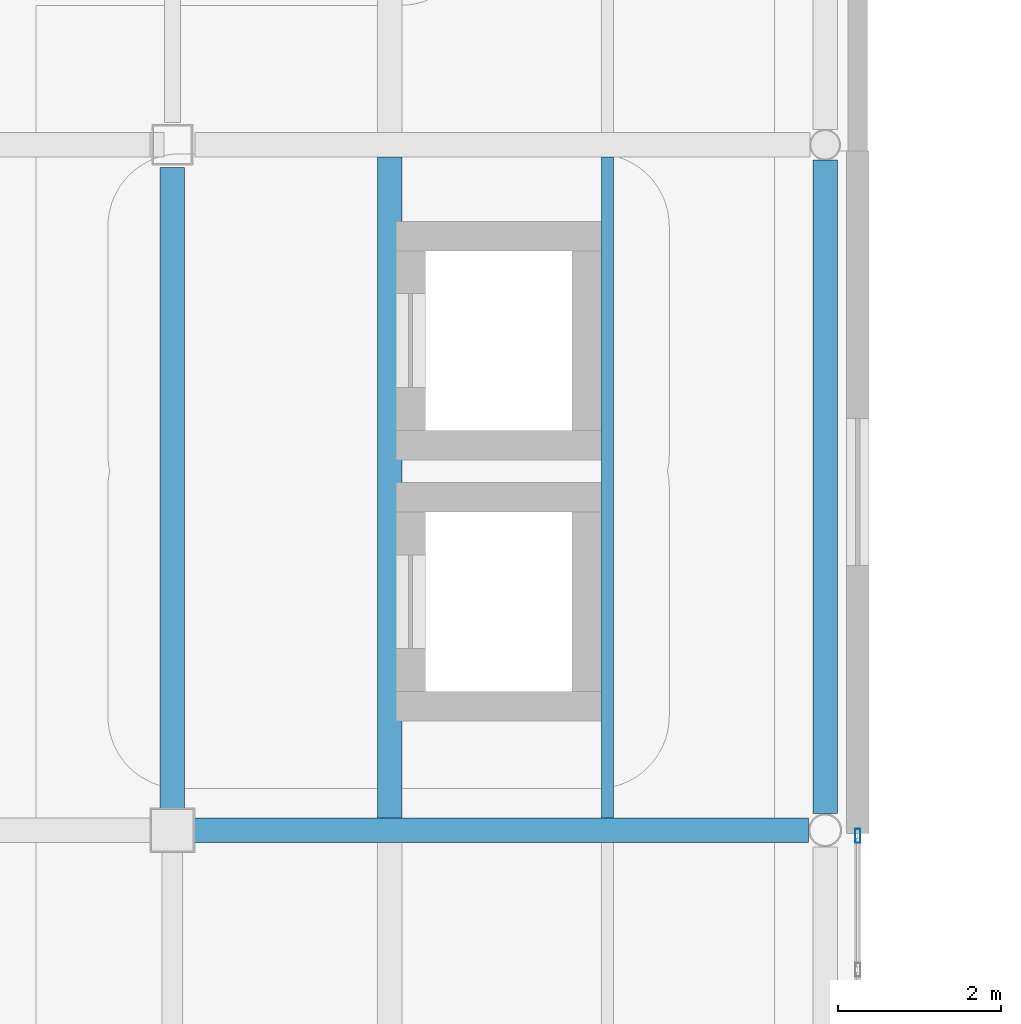
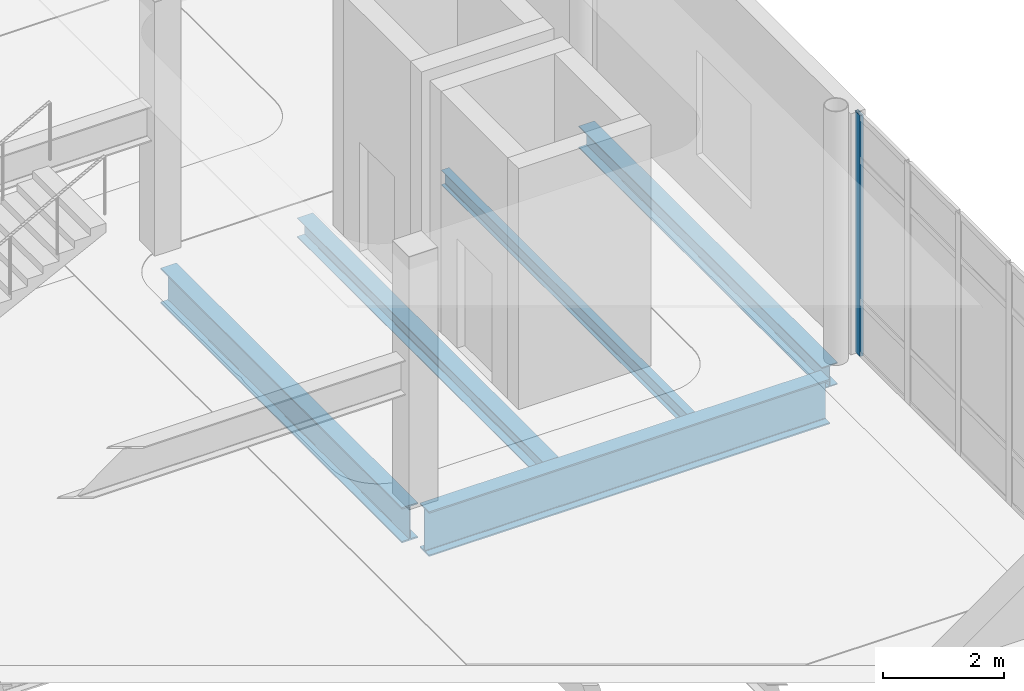
# One storey, part 40 of 103: 5 beams, 1 member, 1 element without a shape of its own.
"""IFC4 building model written with IfcOpenShell, lengths in metres."""

from ifc_helpers import new_model, si_unit, direction, frame, origin, origin_2d, place, context, subcontext, project, spatial, hollow_rectangle, i_section, extrude, material, layer, layer_set, material_profile, profile_set, type_object, element, aggregate, save


model = new_model("IFC4")

# Units and contexts
model_context = context("Model", 3, precision=1e-05, world=origin(), true_north=direction((0.0, 1.0)))
body_context = subcontext(model_context, "Body", "Model", "MODEL_VIEW")
ifc_project = project(units=[si_unit("LENGTHUNIT", "METRE"), si_unit("AREAUNIT", "SQUARE_METRE"), si_unit("VOLUMEUNIT", "CUBIC_METRE"), si_unit("PLANEANGLEUNIT", "RADIAN"), si_unit("MASSUNIT", "GRAM", prefix="KILO"), si_unit("THERMODYNAMICTEMPERATUREUNIT", "KELVIN")], contexts=[model_context])

# Site, building, storey
site_placement = place(None, origin())
site = spatial("IfcSite", under=ifc_project, at=site_placement, CompositionType="ELEMENT")
building_placement = place(site_placement, origin())
building = spatial("IfcBuilding", under=site, at=building_placement, Name="Lustrewick Department Store", CompositionType="ELEMENT")
storey_placement = place(building_placement, frame((0.0, 0.0, 16.5)))
storey = spatial("IfcBuildingStorey", under=building, at=storey_placement, Name="L04", CompositionType="ELEMENT", Elevation=16.5)

# Beams
ifc_material_1 = material(Name="Structural steel Q355B", Category="steel")
ifc_material_profile_1 = material_profile(ifc_material_1, i_section(OverallWidth=0.300048828125, OverallDepth=0.389892578125, WebThickness=0.010009765625, FlangeThickness=0.01611328125, FilletRadius=0.01806640625, at=origin_2d()), Name="HM 390x300x10x16")
ifc_profile_set_1 = profile_set([ifc_material_profile_1], Name="Structural steel Q355B")
beam_type_1 = type_object("IfcBeamType", Name="B07", PredefinedType="JOIST", material=ifc_profile_set_1)
beam_1_placement = place(storey_placement, frame((145.466796875, 25.35009765625, -0.449951171875), z_axis=(0.0, 1.0, 0.0), x_axis=(-1.0, 0.0, 0.0)))
element("IfcBeam", 1, at=beam_1_placement, inside=storey, type_object=beam_type_1, Name="L04 V3 Secondary Joist B07", PredefinedType="JOIST", context=body_context, shape_type="SweptSolid", body=[
    extrude(i_section(OverallWidth=0.300048828125, OverallDepth=0.389892578125, WebThickness=0.010009765625, FlangeThickness=0.01611328125, FilletRadius=0.01806640625, at=origin_2d()), origin(), (0.0, 0.0, 1.0), 8.098876953125),
])
ifc_material_profile_2 = material_profile(ifc_material_1, i_section(OverallWidth=0.14990234375, OverallDepth=0.300048828125, WebThickness=0.006591796875, FlangeThickness=0.009033203125, FilletRadius=0.011962890625, at=origin_2d()), Name="HN 300x150x6.5x9")
ifc_profile_set_2 = profile_set([ifc_material_profile_2], Name="Structural steel Q355B")
beam_type_2 = type_object("IfcBeamType", Name="B11", PredefinedType="JOIST", material=ifc_profile_set_2)
beam_2_placement = place(storey_placement, frame((148.13330078125, 25.35009765625, -0.405029296875), z_axis=(0.0, 1.0, 0.0), x_axis=(-1.0, 0.0, 0.0)))
element("IfcBeam", 2, at=beam_2_placement, inside=storey, type_object=beam_type_2, Name="L04 V3 Secondary Joist B11", PredefinedType="JOIST", context=body_context, shape_type="SweptSolid", body=[
    extrude(i_section(OverallWidth=0.14990234375, OverallDepth=0.300048828125, WebThickness=0.006591796875, FlangeThickness=0.009033203125, FilletRadius=0.011962890625, at=origin_2d()), origin(), (0.0, 0.0, 1.0), 8.098876953125),
])

# Curtain wall, member
ifc_material_2 = material(Name="Thermally broken aluminium 6063-T5", Category="aluminium")
ifc_layer = layer(ifc_material_2, 0.169921875, Name="Thermally broken aluminium 6063-T5")
ifc_layer_set = layer_set([ifc_layer], Name="Thermally broken aluminium 6063-T5")
curtain_wall_type = type_object("IfcCurtainWallType", Name="CW12", PredefinedType="NOTDEFINED", material=ifc_layer_set)
curtain_wall_placement = place(storey_placement, origin())
curtain_wall = element("IfcCurtainWall", 3, at=curtain_wall_placement, inside=storey, type_object=curtain_wall_type, Name="L04 V3 Curtain Wall CW12", PredefinedType="NOTDEFINED")
ifc_material_profile_3 = material_profile(ifc_material_2, hollow_rectangle(XDim=0.06494140625, YDim=0.169921875, WallThickness=0.00390625, at=origin_2d()), Name="ALU-M 65x170x4")
ifc_profile_set_3 = profile_set([ifc_material_profile_3], Name="Thermally broken aluminium 6063-T5")
member_type = type_object("IfcMemberType", Name="CW12-M1", PredefinedType="MULLION", material=ifc_profile_set_3)
member_placement = place(storey_placement, frame((151.199951171875, 25.1298828125, 0.0), z_axis=(0.0, 0.0, 1.0), x_axis=(-1.0, 0.0, 0.0)))
member = element("IfcMember", 4, at=member_placement, type_object=member_type, Name="CW12 mullion 6", PredefinedType="MULLION", context=body_context, shape_type="SweptSolid", body=[
    extrude(hollow_rectangle(XDim=0.06494140625, YDim=0.169921875, WallThickness=0.00390625, at=origin_2d()), origin(), (0.0, 0.0, 1.0), 4.844970703125),
])
aggregate(curtain_wall, [member])

# Beams
ifc_material_3 = material(Name="Structural steel Q355C", Category="steel")
ifc_material_profile_4 = material_profile(ifc_material_3, i_section(OverallWidth=0.300048828125, OverallDepth=0.89990234375, WebThickness=0.01611328125, FlangeThickness=0.028076171875, FilletRadius=0.02392578125, at=origin_2d()), Name="HN 900x300x16x28")
ifc_profile_set_4 = profile_set([ifc_material_profile_4], Name="Structural steel Q355C")
beam_type_3 = type_object("IfcBeamType", Name="G02", PredefinedType="BEAM", material=ifc_profile_set_4)
beam_3_placement = place(storey_placement, frame((142.97509765625, 25.199951171875, -0.705078125), z_axis=(1.0, 0.0, 0.0), x_axis=(0.0, 1.0, 0.0)))
element("IfcBeam", 5, at=beam_3_placement, inside=storey, type_object=beam_type_3, Name="L04 V3 Girder G02", PredefinedType="BEAM", context=body_context, shape_type="SweptSolid", body=[
    extrude(i_section(OverallWidth=0.300048828125, OverallDepth=0.89990234375, WebThickness=0.01611328125, FlangeThickness=0.028076171875, FilletRadius=0.02392578125, at=origin_2d()), origin(), (0.0, 0.0, 1.0), 7.621826171875),
])
ifc_material_profile_5 = material_profile(ifc_material_3, i_section(OverallWidth=0.302001953125, OverallDepth=0.7080078125, WebThickness=0.014892578125, FlangeThickness=0.028076171875, FilletRadius=0.02001953125, at=origin_2d()), Name="HN 708x302x15x28")
ifc_profile_set_5 = profile_set([ifc_material_profile_5], Name="Structural steel Q355C")
beam_type_4 = type_object("IfcBeamType", Name="G07", PredefinedType="BEAM", material=ifc_profile_set_5)
beam_4_placement = place(storey_placement, frame((142.800048828125, 25.375, -0.60888671875), z_axis=(0.0, 1.0, 0.0), x_axis=(-1.0, 0.0, 0.0)))
element("IfcBeam", 6, at=beam_4_placement, inside=storey, type_object=beam_type_4, Name="L04 V3 Girder G07", PredefinedType="BEAM", context=body_context, shape_type="SweptSolid", body=[
    extrude(i_section(OverallWidth=0.302001953125, OverallDepth=0.7080078125, WebThickness=0.014892578125, FlangeThickness=0.028076171875, FilletRadius=0.02001953125, at=origin_2d()), origin(), (0.0, 0.0, 1.0), 7.949951171875),
])
ifc_material_profile_6 = material_profile(ifc_material_1, i_section(OverallWidth=0.300048828125, OverallDepth=0.43994140625, WebThickness=0.010986328125, FlangeThickness=0.01806640625, FilletRadius=0.02001953125, at=origin_2d()), Name="HM 440x300x11x18")
ifc_profile_set_6 = profile_set([ifc_material_profile_6], Name="Structural steel Q355B")
beam_type_5 = type_object("IfcBeamType", Name="SP02", PredefinedType="SPANDREL", material=ifc_profile_set_6)
beam_5_placement = place(storey_placement, frame((150.800048828125, 25.403076171875, -0.47509765625), z_axis=(0.0, 1.0, 0.0), x_axis=(-1.0, 0.0, 0.0)))
element("IfcBeam", 7, at=beam_5_placement, inside=storey, type_object=beam_type_5, Name="L04 V3 Girder SP02", PredefinedType="SPANDREL", context=body_context, shape_type="SweptSolid", body=[
    extrude(i_section(OverallWidth=0.300048828125, OverallDepth=0.43994140625, WebThickness=0.010986328125, FlangeThickness=0.01806640625, FilletRadius=0.02001953125, at=origin_2d()), origin(), (0.0, 0.0, 1.0), 8.008544921875),
])

save(model, "model.ifc")
